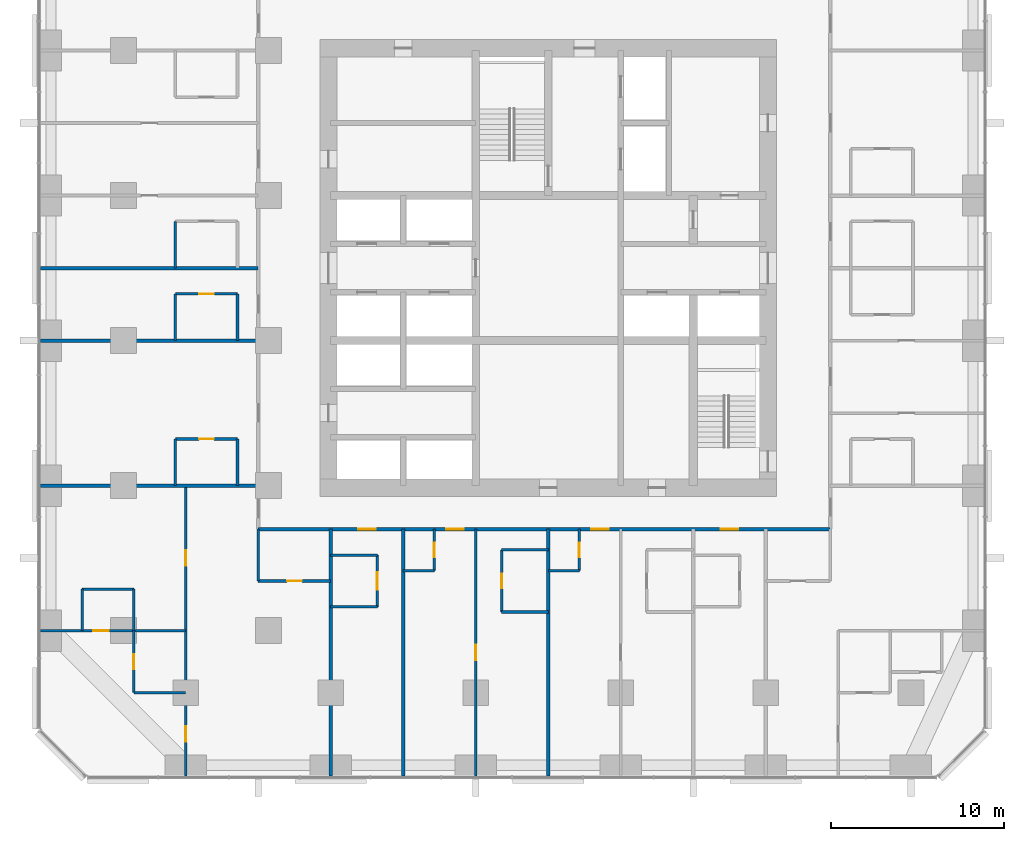
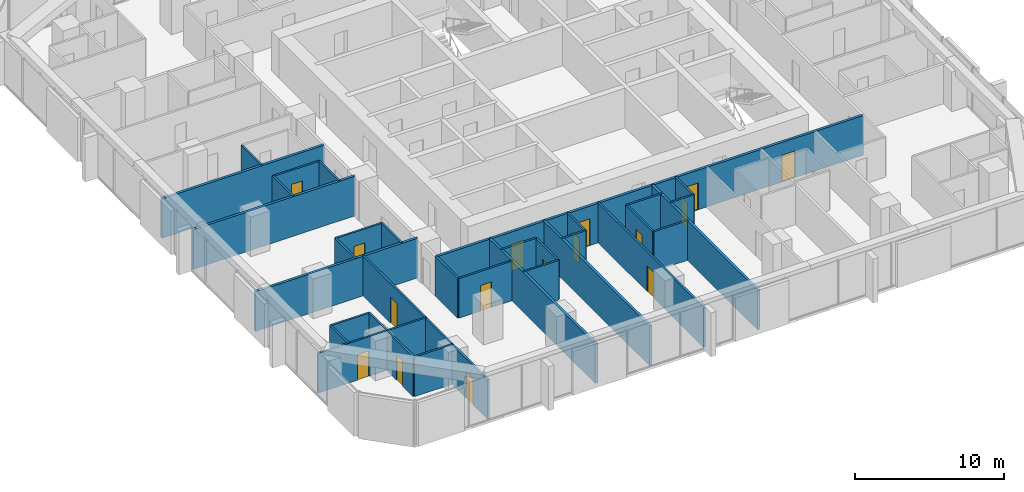
# One storey, part 8 of 14: 34 walls, 16 doors, 16 openings.
"""IFC4 building model written with IfcOpenShell, lengths in metres."""

from ifc_helpers import new_model, si_unit, direction, frame, frame_2d, origin, place, context, subcontext, project, spatial, rectangle, extrude, material, layer, layer_set, type_object, element, fill, save


model = new_model("IFC4")

# Units and contexts
model_context = context("Model", 3, precision=1e-05, world=origin(), true_north=direction((0.0, 1.0)))
body_context = subcontext(model_context, "Body", "Model", "MODEL_VIEW")
ifc_project = project(units=[si_unit("LENGTHUNIT", "METRE"), si_unit("AREAUNIT", "SQUARE_METRE"), si_unit("VOLUMEUNIT", "CUBIC_METRE"), si_unit("PLANEANGLEUNIT", "RADIAN"), si_unit("MASSUNIT", "GRAM", prefix="KILO")], contexts=[model_context])

# Site, building, storey
site_placement = place(None, origin())
site = spatial("IfcSite", under=ifc_project, at=site_placement, CompositionType="ELEMENT")
building_placement = place(site_placement, origin())
building = spatial("IfcBuilding", under=site, at=building_placement, Name="Dunama Terrace Hotel", CompositionType="ELEMENT")
storey_placement = place(building_placement, frame((0.0, 0.0, 133.199951171875)))
storey = spatial("IfcBuildingStorey", under=building, at=storey_placement, Name="L34", CompositionType="ELEMENT", Elevation=133.199951171875)

# Wall, opening, door
ifc_material_1 = material(Name="Gypsum board partition", Category="masonry")
ifc_layer_1 = layer(ifc_material_1, 0.14990234375)
ifc_layer_set_1 = layer_set([ifc_layer_1], Name="Bathroom partition 150")
wall_type_1 = type_object("IfcWallType", Name="Bathroom partition 150", PredefinedType="PARTITIONING", material=ifc_layer_set_1)
wall_1_placement = place(storey_placement, frame((5.39990234375, 4.800048828125, 0.0), z_axis=(0.0, 0.0, 1.0), x_axis=(0.0, 1.0, 0.0)))
wall_1 = element("IfcWall", 1, at=wall_1_placement, inside=storey, type_object=wall_type_1, Name="Bathroom partition 150 L34", PredefinedType="PARTITIONING", context=body_context, shape_type="SweptSolid", body=[
    extrude(rectangle(XDim=3.599853515625, YDim=0.14990234375, at=frame_2d((1.7998046875, 0.0))), origin(), (0.0, 0.0, 1.0), 3.25),
])
opening_1_placement = place(wall_1_placement, frame((1.375, 0.0, 0.0)))
opening_1 = element("IfcOpeningElement", 2, at=opening_1_placement, cuts=wall_1, Name="Opening L34-36-052", PredefinedType="OPENING", context=body_context, shape_type="SweptSolid", body=[
    extrude(rectangle(XDim=0.85009765625, YDim=2.10009765625, at=frame_2d((0.425048828125, 1.050048828125))), frame((0.0, 0.0849609375, 0.0), z_axis=(0.0, -1.0, 0.0), x_axis=(1.0, 0.0, 0.0)), (0.0, 0.0, 1.0), 0.169921875),
])
ifc_material_2 = material(Name="Timber door with steel frame", Category="steel")
door_type_1 = type_object("IfcDoorType", Name="Bathroom door 850", OperationType="SINGLE_SWING_LEFT", PredefinedType="DOOR", material=ifc_material_2)
door_1_placement = place(opening_1_placement, frame((0.85009765625, 0.0, 0.0), z_axis=(0.0, 0.0, 1.0), x_axis=(-1.0, 0.0, 0.0)))
door_1 = element("IfcDoor", 3, at=door_1_placement, inside=storey, type_object=door_type_1, Name="Door to en-suite bathroom L34-36-052, type D2", OperationType="SINGLE_SWING_LEFT", OverallHeight=2.10009765625, OverallWidth=0.85009765625, PredefinedType="DOOR", context=body_context, shape_type="SweptSolid", body=[
    extrude(rectangle(XDim=0.85009765625, YDim=2.10009765625, at=frame_2d((0.425048828125, 1.050048828125))), frame((0.0, 0.025146484375, 0.0), z_axis=(0.0, -1.0, 0.0), x_axis=(1.0, 0.0, 0.0)), (0.0, 0.0, 1.0), 0.050048828125),
])
fill(opening_1, door_1)

# Walls
for number, where, z_axis, x_axis, name in (
    (4, (7.800048828125, 16.800048828125, 0.0), (0.0, 0.0, 1.0), (0.0, 1.0, 0.0), "Bathroom partition 150 L34"),
    (5, (7.800048828125, 25.199951171875, 0.0), (0.0, 0.0, 1.0), (0.0, 1.0, 0.0), "Bathroom partition 150 L34"),
):
    element("IfcWall", number, at=place(storey_placement, frame(where, z_axis=z_axis, x_axis=x_axis)), inside=storey, type_object=wall_type_1, Name=name, PredefinedType="PARTITIONING", context=body_context, shape_type="SweptSolid", body=[
        extrude(rectangle(XDim=2.699951171875, YDim=0.14990234375, at=frame_2d((1.35009765625, 0.0))), origin(), (0.0, 0.0, 1.0), 3.25),
    ])
wall_2_placement = place(storey_placement, frame((7.800048828125, 29.39990234375, 0.0), z_axis=(0.0, 0.0, 1.0), x_axis=(0.0, 1.0, 0.0)))
element("IfcWall", 6, at=wall_2_placement, inside=storey, type_object=wall_type_1, Name="Bathroom partition 150 L34", PredefinedType="PARTITIONING", context=body_context, shape_type="SweptSolid", body=[
    extrude(rectangle(XDim=2.7001953125, YDim=0.14990234375, at=frame_2d((1.35009765625, 0.0))), origin(), (0.0, 0.0, 1.0), 3.25),
])
for number, where, z_axis, x_axis, name in (
    (7, (11.39990234375, 16.800048828125, 0.0), (0.0, 0.0, 1.0), (0.0, 1.0, 0.0), "Bathroom partition 150 L34"),
    (8, (11.39990234375, 25.199951171875, 0.0), (0.0, 0.0, 1.0), (0.0, 1.0, 0.0), "Bathroom partition 150 L34"),
):
    element("IfcWall", number, at=place(storey_placement, frame(where, z_axis=z_axis, x_axis=x_axis)), inside=storey, type_object=wall_type_1, Name=name, PredefinedType="PARTITIONING", context=body_context, shape_type="SweptSolid", body=[
        extrude(rectangle(XDim=2.699951171875, YDim=0.14990234375, at=frame_2d((1.35009765625, 0.0))), origin(), (0.0, 0.0, 1.0), 3.25),
    ])
wall_3_placement = place(storey_placement, frame((12.60009765625, 11.27490234375, 0.0), z_axis=(0.0, 0.0, 1.0), x_axis=(0.0, 1.0, 0.0)))
element("IfcWall", 9, at=wall_3_placement, inside=storey, type_object=wall_type_1, Name="Bathroom partition 150 L34", PredefinedType="PARTITIONING", context=body_context, shape_type="SweptSolid", body=[
    extrude(rectangle(XDim=3.0, YDim=0.14990234375, at=frame_2d((1.5, 0.0))), origin(), (0.0, 0.0, 1.0), 3.25),
])

# Wall, opening, door
wall_4_placement = place(storey_placement, frame((19.5, 9.77490234375, 0.0), z_axis=(0.0, 0.0, 1.0), x_axis=(0.0, 1.0, 0.0)))
wall_4 = element("IfcWall", 10, at=wall_4_placement, inside=storey, type_object=wall_type_1, Name="Bathroom partition 150 L34", PredefinedType="PARTITIONING", context=body_context, shape_type="SweptSolid", body=[
    extrude(rectangle(XDim=3.0, YDim=0.14990234375, at=frame_2d((1.5, 0.0))), origin(), (0.0, 0.0, 1.0), 3.25),
])
opening_2_placement = place(wall_4_placement, frame((1.0, 0.0, 0.0)))
opening_2 = element("IfcOpeningElement", 11, at=opening_2_placement, cuts=wall_4, Name="Opening L34-36-012", PredefinedType="OPENING", context=body_context, shape_type="SweptSolid", body=[
    extrude(rectangle(XDim=1.0, YDim=2.10009765625, at=frame_2d((0.5, 1.050048828125))), frame((0.0, 0.0849609375, 0.0), z_axis=(0.0, -1.0, 0.0), x_axis=(1.0, 0.0, 0.0)), (0.0, 0.0, 1.0), 0.169921875),
])
ifc_material_3 = material(Name="Timber door with steel frame", Category="steel")
door_type_2 = type_object("IfcDoorType", Name="Accessible room door 1000", OperationType="SINGLE_SWING_LEFT", PredefinedType="DOOR", material=ifc_material_3)
door_2_placement = place(opening_2_placement, origin())
door_2 = element("IfcDoor", 12, at=door_2_placement, inside=storey, type_object=door_type_2, Name="Door to accessible en-suite bathroom L34-36-012, type D17", OperationType="SINGLE_SWING_LEFT", OverallHeight=2.10009765625, OverallWidth=1.0, PredefinedType="DOOR", context=body_context, shape_type="SweptSolid", body=[
    extrude(rectangle(XDim=1.0, YDim=2.10009765625, at=frame_2d((0.5, 1.050048828125))), frame((0.0, 0.02490234375, 0.0), z_axis=(0.0, -1.0, 0.0), x_axis=(1.0, 0.0, 0.0)), (0.0, 0.0, 1.0), 0.050048828125),
])
fill(opening_2, door_2)

wall_5_placement = place(storey_placement, frame((22.800048828125, 11.875, 0.0), z_axis=(0.0, 0.0, 1.0), x_axis=(0.0, 1.0, 0.0)))
wall_5 = element("IfcWall", 13, at=wall_5_placement, inside=storey, type_object=wall_type_1, Name="Bathroom partition 150 L34", PredefinedType="PARTITIONING", context=body_context, shape_type="SweptSolid", body=[
    extrude(rectangle(XDim=2.39990234375, YDim=0.14990234375, at=frame_2d((1.199951171875, 0.0))), origin(), (0.0, 0.0, 1.0), 3.25),
])
opening_3_placement = place(wall_5_placement, frame((0.77490234375, 0.0, 0.0)))
opening_3 = element("IfcOpeningElement", 14, at=opening_3_placement, cuts=wall_5, Name="Opening L34-36-014", PredefinedType="OPENING", context=body_context, shape_type="SweptSolid", body=[
    extrude(rectangle(XDim=0.85009765625, YDim=2.10009765625, at=frame_2d((0.425048828125, 1.050048828125))), frame((0.0, 0.0849609375, 0.0), z_axis=(0.0, -1.0, 0.0), x_axis=(1.0, 0.0, 0.0)), (0.0, 0.0, 1.0), 0.169921875),
])
door_3_placement = place(opening_3_placement, origin())
door_3 = element("IfcDoor", 15, at=door_3_placement, inside=storey, type_object=door_type_1, Name="Door to powder room L34-36-014, type D2", OperationType="SINGLE_SWING_RIGHT", OverallHeight=2.10009765625, OverallWidth=0.85009765625, PredefinedType="DOOR", context=body_context, shape_type="SweptSolid", body=[
    extrude(rectangle(XDim=0.85009765625, YDim=2.10009765625, at=frame_2d((0.425048828125, 1.050048828125))), frame((0.0, 0.02490234375, 0.0), z_axis=(0.0, -1.0, 0.0), x_axis=(1.0, 0.0, 0.0)), (0.0, 0.0, 1.0), 0.050048828125),
])
fill(opening_3, door_3)

wall_6_placement = place(storey_placement, frame((26.699951171875, 9.47509765625, 0.0), z_axis=(0.0, 0.0, 1.0), x_axis=(0.0, 1.0, 0.0)))
wall_6 = element("IfcWall", 16, at=wall_6_placement, inside=storey, type_object=wall_type_1, Name="Bathroom partition 150 L34", PredefinedType="PARTITIONING", context=body_context, shape_type="SweptSolid", body=[
    extrude(rectangle(XDim=3.599853515625, YDim=0.14990234375, at=frame_2d((1.7998046875, 0.0))), origin(), (0.0, 0.0, 1.0), 3.25),
])
opening_4_placement = place(wall_6_placement, frame((1.375, 0.0, 0.0)))
opening_4 = element("IfcOpeningElement", 17, at=opening_4_placement, cuts=wall_6, Name="Opening L34-36-016", PredefinedType="OPENING", context=body_context, shape_type="SweptSolid", body=[
    extrude(rectangle(XDim=0.85009765625, YDim=2.10009765625, at=frame_2d((0.425048828125, 1.050048828125))), frame((0.0, 0.0849609375, 0.0), z_axis=(0.0, -1.0, 0.0), x_axis=(1.0, 0.0, 0.0)), (0.0, 0.0, 1.0), 0.169921875),
])
door_4_placement = place(opening_4_placement, frame((0.85009765625, 0.0, 0.0), z_axis=(0.0, 0.0, 1.0), x_axis=(-1.0, 0.0, 0.0)))
door_4 = element("IfcDoor", 18, at=door_4_placement, inside=storey, type_object=door_type_1, Name="Door to en-suite bathroom L34-36-016, type D2", OperationType="SINGLE_SWING_RIGHT", OverallHeight=2.10009765625, OverallWidth=0.85009765625, PredefinedType="DOOR", context=body_context, shape_type="SweptSolid", body=[
    extrude(rectangle(XDim=0.85009765625, YDim=2.10009765625, at=frame_2d((0.425048828125, 1.050048828125))), frame((0.0, 0.025146484375, 0.0), z_axis=(0.0, -1.0, 0.0), x_axis=(1.0, 0.0, 0.0)), (0.0, 0.0, 1.0), 0.050048828125),
])
fill(opening_4, door_4)

wall_7_placement = place(storey_placement, frame((31.199951171875, 11.875, 0.0), z_axis=(0.0, 0.0, 1.0), x_axis=(0.0, 1.0, 0.0)))
wall_7 = element("IfcWall", 19, at=wall_7_placement, inside=storey, type_object=wall_type_1, Name="Bathroom partition 150 L34", PredefinedType="PARTITIONING", context=body_context, shape_type="SweptSolid", body=[
    extrude(rectangle(XDim=2.39990234375, YDim=0.14990234375, at=frame_2d((1.199951171875, 0.0))), origin(), (0.0, 0.0, 1.0), 3.25),
])
opening_5_placement = place(wall_7_placement, frame((0.77490234375, 0.0, 0.0)))
opening_5 = element("IfcOpeningElement", 20, at=opening_5_placement, cuts=wall_7, Name="Opening L34-36-018", PredefinedType="OPENING", context=body_context, shape_type="SweptSolid", body=[
    extrude(rectangle(XDim=0.85009765625, YDim=2.10009765625, at=frame_2d((0.425048828125, 1.050048828125))), frame((0.0, 0.0849609375, 0.0), z_axis=(0.0, -1.0, 0.0), x_axis=(1.0, 0.0, 0.0)), (0.0, 0.0, 1.0), 0.169921875),
])
door_5_placement = place(opening_5_placement, origin())
door_5 = element("IfcDoor", 21, at=door_5_placement, inside=storey, type_object=door_type_1, Name="Door to powder room L34-36-018, type D2", OperationType="SINGLE_SWING_RIGHT", OverallHeight=2.10009765625, OverallWidth=0.85009765625, PredefinedType="DOOR", context=body_context, shape_type="SweptSolid", body=[
    extrude(rectangle(XDim=0.85009765625, YDim=2.10009765625, at=frame_2d((0.425048828125, 1.050048828125))), frame((0.0, 0.02490234375, 0.0), z_axis=(0.0, -1.0, 0.0), x_axis=(1.0, 0.0, 0.0)), (0.0, 0.0, 1.0), 0.050048828125),
])
fill(opening_5, door_5)

# Walls
wall_8_placement = place(storey_placement, frame((5.39990234375, 4.800048828125, 0.0), z_axis=(0.0, 0.0, 1.0), x_axis=(1.0, 0.0, 0.0)))
element("IfcWall", 22, at=wall_8_placement, inside=storey, type_object=wall_type_1, Name="Bathroom partition 150 L34", PredefinedType="PARTITIONING", context=body_context, shape_type="SweptSolid", body=[
    extrude(rectangle(XDim=3.0, YDim=0.14990234375, at=frame_2d((1.5, 0.0))), origin(), (0.0, 0.0, 1.0), 3.25),
])
for number, where, z_axis, x_axis, name in (
    (23, (26.699951171875, 9.47509765625, 0.0), (0.0, 0.0, 1.0), (1.0, 0.0, 0.0), "Bathroom partition 150 L34"),
    (24, (16.800048828125, 9.77490234375, 0.0), (0.0, 0.0, 1.0), (1.0, 0.0, 0.0), "Bathroom partition 150 L34"),
):
    element("IfcWall", number, at=place(storey_placement, frame(where, z_axis=z_axis, x_axis=x_axis)), inside=storey, type_object=wall_type_1, Name=name, PredefinedType="PARTITIONING", context=body_context, shape_type="SweptSolid", body=[
        extrude(rectangle(XDim=2.699951171875, YDim=0.14990234375, at=frame_2d((1.35009765625, 0.0))), origin(), (0.0, 0.0, 1.0), 3.25),
    ])

# Wall, opening, door
wall_9_placement = place(storey_placement, frame((12.60009765625, 11.27490234375, 0.0), z_axis=(0.0, 0.0, 1.0), x_axis=(1.0, 0.0, 0.0)))
wall_9 = element("IfcWall", 25, at=wall_9_placement, inside=storey, type_object=wall_type_1, Name="Bathroom partition 150 L34", PredefinedType="PARTITIONING", context=body_context, shape_type="SweptSolid", body=[
    extrude(rectangle(XDim=4.199951171875, YDim=0.14990234375, at=frame_2d((2.10009765625, 0.0))), origin(), (0.0, 0.0, 1.0), 3.25),
])
opening_6_placement = place(wall_9_placement, frame((1.675048828125, 0.0, 0.0)))
opening_6 = element("IfcOpeningElement", 26, at=opening_6_placement, cuts=wall_9, Name="Opening L34-36-050", PredefinedType="OPENING", context=body_context, shape_type="SweptSolid", body=[
    extrude(rectangle(XDim=0.85009765625, YDim=2.10009765625, at=frame_2d((0.425048828125, 1.050048828125))), frame((0.0, 0.0849609375, 0.0), z_axis=(0.0, -1.0, 0.0), x_axis=(1.0, 0.0, 0.0)), (0.0, 0.0, 1.0), 0.169921875),
])
door_6_placement = place(opening_6_placement, origin())
door_6 = element("IfcDoor", 27, at=door_6_placement, inside=storey, type_object=door_type_1, Name="Door to powder room L34-36-050, type D2", OperationType="SINGLE_SWING_RIGHT", OverallHeight=2.10009765625, OverallWidth=0.85009765625, PredefinedType="DOOR", context=body_context, shape_type="SweptSolid", body=[
    extrude(rectangle(XDim=0.85009765625, YDim=2.10009765625, at=frame_2d((0.425048828125, 1.050048828125))), frame((0.0, 0.02490234375, 0.0), z_axis=(0.0, -1.0, 0.0), x_axis=(1.0, 0.0, 0.0)), (0.0, 0.0, 1.0), 0.050048828125),
])
fill(opening_6, door_6)

# Walls
for number, where, z_axis, x_axis, name in (
    (28, (21.0, 11.875, 0.0), (0.0, 0.0, 1.0), (1.0, 0.0, 0.0), "Bathroom partition 150 L34"),
    (29, (29.39990234375, 11.875, 0.0), (0.0, 0.0, 1.0), (1.0, 0.0, 0.0), "Bathroom partition 150 L34"),
):
    element("IfcWall", number, at=place(storey_placement, frame(where, z_axis=z_axis, x_axis=x_axis)), inside=storey, type_object=wall_type_1, Name=name, PredefinedType="PARTITIONING", context=body_context, shape_type="SweptSolid", body=[
        extrude(rectangle(XDim=1.800048828125, YDim=0.14990234375, at=frame_2d((0.89990234375, 0.0))), origin(), (0.0, 0.0, 1.0), 3.25),
    ])
for number, where, z_axis, x_axis, name in (
    (30, (16.800048828125, 12.77490234375, 0.0), (0.0, 0.0, 1.0), (1.0, 0.0, 0.0), "Bathroom partition 150 L34"),
    (31, (26.699951171875, 13.074951171875, 0.0), (0.0, 0.0, 1.0), (1.0, 0.0, 0.0), "Bathroom partition 150 L34"),
):
    element("IfcWall", number, at=place(storey_placement, frame(where, z_axis=z_axis, x_axis=x_axis)), inside=storey, type_object=wall_type_1, Name=name, PredefinedType="PARTITIONING", context=body_context, shape_type="SweptSolid", body=[
        extrude(rectangle(XDim=2.699951171875, YDim=0.14990234375, at=frame_2d((1.35009765625, 0.0))), origin(), (0.0, 0.0, 1.0), 3.25),
    ])

# Wall, opening, door
wall_10_placement = place(storey_placement, frame((7.800048828125, 19.5, 0.0), z_axis=(0.0, 0.0, 1.0), x_axis=(1.0, 0.0, 0.0)))
wall_10 = element("IfcWall", 32, at=wall_10_placement, inside=storey, type_object=wall_type_1, Name="Bathroom partition 150 L34", PredefinedType="PARTITIONING", context=body_context, shape_type="SweptSolid", body=[
    extrude(rectangle(XDim=3.599853515625, YDim=0.14990234375, at=frame_2d((1.7998046875, 0.0))), origin(), (0.0, 0.0, 1.0), 3.25),
])
opening_7_placement = place(wall_10_placement, frame((1.375, 0.0, 0.0)))
opening_7 = element("IfcOpeningElement", 33, at=opening_7_placement, cuts=wall_10, Name="Opening L34-36-041", PredefinedType="OPENING", context=body_context, shape_type="SweptSolid", body=[
    extrude(rectangle(XDim=0.85009765625, YDim=2.10009765625, at=frame_2d((0.425048828125, 1.050048828125))), frame((0.0, 0.0849609375, 0.0), z_axis=(0.0, -1.0, 0.0), x_axis=(1.0, 0.0, 0.0)), (0.0, 0.0, 1.0), 0.169921875),
])
door_7_placement = place(opening_7_placement, frame((0.85009765625, 0.0, 0.0), z_axis=(0.0, 0.0, 1.0), x_axis=(-1.0, 0.0, 0.0)))
door_7 = element("IfcDoor", 34, at=door_7_placement, inside=storey, type_object=door_type_1, Name="Door to en-suite bathroom L34-36-041, type D2", OperationType="SINGLE_SWING_RIGHT", OverallHeight=2.10009765625, OverallWidth=0.85009765625, PredefinedType="DOOR", context=body_context, shape_type="SweptSolid", body=[
    extrude(rectangle(XDim=0.85009765625, YDim=2.10009765625, at=frame_2d((0.425048828125, 1.050048828125))), frame((0.0, 0.025146484375, 0.0), z_axis=(0.0, -1.0, 0.0), x_axis=(1.0, 0.0, 0.0)), (0.0, 0.0, 1.0), 0.050048828125),
])
fill(opening_7, door_7)

wall_11_placement = place(storey_placement, frame((7.800048828125, 27.89990234375, 0.0), z_axis=(0.0, 0.0, 1.0), x_axis=(1.0, 0.0, 0.0)))
wall_11 = element("IfcWall", 35, at=wall_11_placement, inside=storey, type_object=wall_type_1, Name="Bathroom partition 150 L34", PredefinedType="PARTITIONING", context=body_context, shape_type="SweptSolid", body=[
    extrude(rectangle(XDim=3.599853515625, YDim=0.14990234375, at=frame_2d((1.7998046875, 0.0))), origin(), (0.0, 0.0, 1.0), 3.25),
])
opening_8_placement = place(wall_11_placement, frame((1.375, 0.0, 0.0)))
opening_8 = element("IfcOpeningElement", 36, at=opening_8_placement, cuts=wall_11, Name="Opening L34-36-043", PredefinedType="OPENING", context=body_context, shape_type="SweptSolid", body=[
    extrude(rectangle(XDim=0.85009765625, YDim=2.10009765625, at=frame_2d((0.425048828125, 1.050048828125))), frame((0.0, 0.0849609375, 0.0), z_axis=(0.0, -1.0, 0.0), x_axis=(1.0, 0.0, 0.0)), (0.0, 0.0, 1.0), 0.169921875),
])
door_8_placement = place(opening_8_placement, frame((0.85009765625, 0.0, 0.0), z_axis=(0.0, 0.0, 1.0), x_axis=(-1.0, 0.0, 0.0)))
door_8 = element("IfcDoor", 37, at=door_8_placement, inside=storey, type_object=door_type_1, Name="Door to en-suite bathroom L34-36-043, type D2", OperationType="SINGLE_SWING_RIGHT", OverallHeight=2.10009765625, OverallWidth=0.85009765625, PredefinedType="DOOR", context=body_context, shape_type="SweptSolid", body=[
    extrude(rectangle(XDim=0.85009765625, YDim=2.10009765625, at=frame_2d((0.425048828125, 1.050048828125))), frame((0.0, 0.025146484375, 0.0), z_axis=(0.0, -1.0, 0.0), x_axis=(1.0, 0.0, 0.0)), (0.0, 0.0, 1.0), 0.050048828125),
])
fill(opening_8, door_8)

# Wall, openings, doors
ifc_material_4 = material(Name="Concrete blockwork", Category="masonry")
ifc_layer_2 = layer(ifc_material_4, 0.199951171875)
ifc_layer_set_2 = layer_set([ifc_layer_2], Name="Corridor partition 200")
wall_type_2 = type_object("IfcWallType", Name="Corridor partition 200", PredefinedType="PARTITIONING", material=ifc_layer_set_2)
wall_12_placement = place(storey_placement, frame((45.72509765625, 14.27490234375, 0.0), z_axis=(0.0, 0.0, 1.0), x_axis=(-1.0, 0.0, 0.0)))
wall_12 = element("IfcWall", 38, at=wall_12_placement, inside=storey, type_object=wall_type_2, Name="Corridor partition 200 L34", PredefinedType="PARTITIONING", context=body_context, shape_type="SweptSolid", body=[
    extrude(rectangle(XDim=33.125, YDim=0.199951171875, at=frame_2d((16.5625, 0.0))), origin(), (0.0, 0.0, 1.0), 3.25),
])
opening_9_placement = place(wall_12_placement, frame((26.324951171875, 0.0, 0.0)))
opening_9 = element("IfcOpeningElement", 39, at=opening_9_placement, cuts=wall_12, Name="Opening L34-36-011", PredefinedType="OPENING", context=body_context, shape_type="SweptSolid", body=[
    extrude(rectangle(XDim=1.0, YDim=2.199951171875, at=frame_2d((0.5, 1.10009765625))), frame((0.0, 0.10986328125, 0.0), z_axis=(0.0, -1.0, 0.0), x_axis=(1.0, 0.0, 0.0)), (0.0, 0.0, 1.0), 0.219970703125),
])
opening_10_placement = place(wall_12_placement, frame((21.22509765625, 0.0, 0.0)))
opening_10 = element("IfcOpeningElement", 40, at=opening_10_placement, cuts=wall_12, Name="Opening L34-36-013", PredefinedType="OPENING", context=body_context, shape_type="SweptSolid", body=[
    extrude(rectangle(XDim=1.0, YDim=2.199951171875, at=frame_2d((0.5, 1.10009765625))), frame((0.0, 0.10986328125, 0.0), z_axis=(0.0, -1.0, 0.0), x_axis=(1.0, 0.0, 0.0)), (0.0, 0.0, 1.0), 0.219970703125),
])
opening_11_placement = place(wall_12_placement, frame((12.824951171875, 0.0, 0.0)))
opening_11 = element("IfcOpeningElement", 41, at=opening_11_placement, cuts=wall_12, Name="Opening L34-36-017", PredefinedType="OPENING", context=body_context, shape_type="SweptSolid", body=[
    extrude(rectangle(XDim=1.0, YDim=2.199951171875, at=frame_2d((0.5, 1.10009765625))), frame((0.0, 0.10986328125, 0.0), z_axis=(0.0, -1.0, 0.0), x_axis=(1.0, 0.0, 0.0)), (0.0, 0.0, 1.0), 0.219970703125),
])
opening_12_placement = place(wall_12_placement, frame((5.324951171875, 0.0, 0.0)))
opening_12 = element("IfcOpeningElement", 42, at=opening_12_placement, cuts=wall_12, Name="Opening L34-36-021", PredefinedType="OPENING", context=body_context, shape_type="SweptSolid", body=[
    extrude(rectangle(XDim=1.0, YDim=2.199951171875, at=frame_2d((0.5, 1.10009765625))), frame((0.0, 0.10986328125, 0.0), z_axis=(0.0, -1.0, 0.0), x_axis=(1.0, 0.0, 0.0)), (0.0, 0.0, 1.0), 0.219970703125),
])
ifc_material_5 = material(Name="Timber door with steel frame", Category="steel")
door_type_3 = type_object("IfcDoorType", Name="Guest room door 1000", OperationType="SINGLE_SWING_LEFT", PredefinedType="DOOR", material=ifc_material_5)
door_9_placement = place(opening_9_placement, origin())
door_9 = element("IfcDoor", 43, at=door_9_placement, inside=storey, type_object=door_type_3, Name="Door to accessible premier room L34-36-011, type D1", OperationType="SINGLE_SWING_LEFT", OverallHeight=2.199951171875, OverallWidth=1.0, PredefinedType="DOOR", context=body_context, shape_type="SweptSolid", body=[
    extrude(rectangle(XDim=1.0, YDim=2.199951171875, at=frame_2d((0.5, 1.10009765625))), frame((0.0, 0.02490234375, 0.0), z_axis=(0.0, -1.0, 0.0), x_axis=(1.0, 0.0, 0.0)), (0.0, 0.0, 1.0), 0.050048828125),
])
fill(opening_9, door_9)
door_10_placement = place(opening_10_placement, origin())
door_10 = element("IfcDoor", 44, at=door_10_placement, inside=storey, type_object=door_type_3, Name="Door to premier suite living room L34-36-013, type D1", OperationType="SINGLE_SWING_LEFT", OverallHeight=2.199951171875, OverallWidth=1.0, PredefinedType="DOOR", context=body_context, shape_type="SweptSolid", body=[
    extrude(rectangle(XDim=1.0, YDim=2.199951171875, at=frame_2d((0.5, 1.10009765625))), frame((0.0, 0.02490234375, 0.0), z_axis=(0.0, -1.0, 0.0), x_axis=(1.0, 0.0, 0.0)), (0.0, 0.0, 1.0), 0.050048828125),
])
fill(opening_10, door_10)
door_11_placement = place(opening_11_placement, origin())
door_11 = element("IfcDoor", 45, at=door_11_placement, inside=storey, type_object=door_type_3, Name="Door to premier suite living room L34-36-017, type D1", OperationType="SINGLE_SWING_LEFT", OverallHeight=2.199951171875, OverallWidth=1.0, PredefinedType="DOOR", context=body_context, shape_type="SweptSolid", body=[
    extrude(rectangle(XDim=1.0, YDim=2.199951171875, at=frame_2d((0.5, 1.10009765625))), frame((0.0, 0.02490234375, 0.0), z_axis=(0.0, -1.0, 0.0), x_axis=(1.0, 0.0, 0.0)), (0.0, 0.0, 1.0), 0.050048828125),
])
fill(opening_11, door_11)
door_12_placement = place(opening_12_placement, origin())
door_12 = element("IfcDoor", 46, at=door_12_placement, inside=storey, type_object=door_type_3, Name="Door to accessible premier room L34-36-021, type D1", OperationType="SINGLE_SWING_LEFT", OverallHeight=2.199951171875, OverallWidth=1.0, PredefinedType="DOOR", context=body_context, shape_type="SweptSolid", body=[
    extrude(rectangle(XDim=1.0, YDim=2.199951171875, at=frame_2d((0.5, 1.10009765625))), frame((0.0, 0.02490234375, 0.0), z_axis=(0.0, -1.0, 0.0), x_axis=(1.0, 0.0, 0.0)), (0.0, 0.0, 1.0), 0.050048828125),
])
fill(opening_12, door_12)

# Walls
ifc_material_6 = material(Name="Concrete blockwork", Category="masonry")
ifc_layer_3 = layer(ifc_material_6, 0.199951171875)
ifc_layer_set_3 = layer_set([ifc_layer_3], Name="Party wall 200")
wall_type_3 = type_object("IfcWallType", Name="Party wall 200", PredefinedType="PARTITIONING", material=ifc_layer_set_3)
for number, where, z_axis, x_axis, name in (
    (47, (16.800048828125, -0.01806640625, 0.0), (0.0, 0.0, 1.0), (0.0, 1.0, 0.0), "Party wall 200 L34"),
    (48, (21.0, -0.01806640625, 0.0), (0.0, 0.0, 1.0), (0.0, 1.0, 0.0), "Party wall 200 L34"),
    (49, (29.39990234375, -0.01806640625, 0.0), (0.0, 0.0, 1.0), (0.0, 1.0, 0.0), "Party wall 200 L34"),
):
    element("IfcWall", number, at=place(storey_placement, frame(where, z_axis=z_axis, x_axis=x_axis)), inside=storey, type_object=wall_type_3, Name=name, PredefinedType="PARTITIONING", context=body_context, shape_type="SweptSolid", body=[
        extrude(rectangle(XDim=14.29296875, YDim=0.199951171875, at=frame_2d((7.146484375, 0.0))), origin(), (0.0, 0.0, 1.0), 3.25),
    ])
for number, where, z_axis, x_axis, name in (
    (50, (-0.01806640625, 16.800048828125, 0.0), (0.0, 0.0, 1.0), (1.0, 0.0, 0.0), "Party wall 200 L34"),
    (51, (-0.01806640625, 25.199951171875, 0.0), (0.0, 0.0, 1.0), (1.0, 0.0, 0.0), "Party wall 200 L34"),
    (52, (-0.01806640625, 29.39990234375, 0.0), (0.0, 0.0, 1.0), (1.0, 0.0, 0.0), "Party wall 200 L34"),
):
    element("IfcWall", number, at=place(storey_placement, frame(where, z_axis=z_axis, x_axis=x_axis)), inside=storey, type_object=wall_type_3, Name=name, PredefinedType="PARTITIONING", context=body_context, shape_type="SweptSolid", body=[
        extrude(rectangle(XDim=12.6181640625, YDim=0.199951171875, at=frame_2d((6.30908203125, 0.0))), origin(), (0.0, 0.0, 1.0), 3.25),
    ])
ifc_material_7 = material(Name="Gypsum board partition", Category="masonry")
ifc_layer_4 = layer(ifc_material_7, 0.14990234375)
ifc_layer_set_4 = layer_set([ifc_layer_4], Name="Room partition 150")
wall_type_4 = type_object("IfcWallType", Name="Room partition 150", PredefinedType="PARTITIONING", material=ifc_layer_set_4)
for number, where, z_axis, x_axis, name in (
    (53, (2.39990234375, 8.39990234375, 0.0), (0.0, 0.0, 1.0), (0.0, 1.0, 0.0), "Room partition 150 L34"),
    (54, (5.39990234375, 8.39990234375, 0.0), (0.0, 0.0, 1.0), (0.0, 1.0, 0.0), "Room partition 150 L34"),
):
    element("IfcWall", number, at=place(storey_placement, frame(where, z_axis=z_axis, x_axis=x_axis)), inside=storey, type_object=wall_type_4, Name=name, PredefinedType="PARTITIONING", context=body_context, shape_type="SweptSolid", body=[
        extrude(rectangle(XDim=2.400146484375, YDim=0.14990234375, at=frame_2d((1.2001953125, 0.0))), origin(), (0.0, 0.0, 1.0), 3.25),
    ])

# Wall, openings, doors
wall_13_placement = place(storey_placement, frame((8.39990234375, -0.01806640625, 0.0), z_axis=(0.0, 0.0, 1.0), x_axis=(0.0, 1.0, 0.0)))
wall_13 = element("IfcWall", 55, at=wall_13_placement, inside=storey, type_object=wall_type_4, Name="Room partition 150 L34", PredefinedType="PARTITIONING", context=body_context, shape_type="SweptSolid", body=[
    extrude(rectangle(XDim=16.818115234375, YDim=0.14990234375, at=frame_2d((8.4091796875, 0.0))), origin(), (0.0, 0.0, 1.0), 3.25),
])
opening_13_placement = place(wall_13_placement, frame((1.968017578125, 0.0, 0.0)))
opening_13 = element("IfcOpeningElement", 56, at=opening_13_placement, cuts=wall_13, Name="Opening L34-36-051", PredefinedType="OPENING", context=body_context, shape_type="SweptSolid", body=[
    extrude(rectangle(XDim=0.89990234375, YDim=2.10009765625, at=frame_2d((0.449951171875, 1.050048828125))), frame((0.0, 0.0849609375, 0.0), z_axis=(0.0, -1.0, 0.0), x_axis=(1.0, 0.0, 0.0)), (0.0, 0.0, 1.0), 0.169921875),
])
opening_14_placement = place(wall_13_placement, frame((12.16796875, 0.0, 0.0)))
opening_14 = element("IfcOpeningElement", 57, at=opening_14_placement, cuts=wall_13, Name="Opening L34-36-054", PredefinedType="OPENING", context=body_context, shape_type="SweptSolid", body=[
    extrude(rectangle(XDim=0.89990234375, YDim=2.10009765625, at=frame_2d((0.449951171875, 1.050048828125))), frame((0.0, 0.0849609375, 0.0), z_axis=(0.0, -1.0, 0.0), x_axis=(1.0, 0.0, 0.0)), (0.0, 0.0, 1.0), 0.169921875),
])
ifc_material_8 = material(Name="Timber door with steel frame", Category="steel")
door_type_4 = type_object("IfcDoorType", Name="Suite internal door 900", OperationType="SINGLE_SWING_LEFT", PredefinedType="DOOR", material=ifc_material_8)
door_13_placement = place(opening_13_placement, origin())
door_13 = element("IfcDoor", 58, at=door_13_placement, inside=storey, type_object=door_type_4, Name="Door to corner suite bedroom L34-36-051, type D16", OperationType="SINGLE_SWING_LEFT", OverallHeight=2.10009765625, OverallWidth=0.89990234375, PredefinedType="DOOR", context=body_context, shape_type="SweptSolid", body=[
    extrude(rectangle(XDim=0.89990234375, YDim=2.10009765625, at=frame_2d((0.449951171875, 1.050048828125))), frame((0.0, 0.02490234375, 0.0), z_axis=(0.0, -1.0, 0.0), x_axis=(1.0, 0.0, 0.0)), (0.0, 0.0, 1.0), 0.050048828125),
])
fill(opening_13, door_13)
door_14_placement = place(opening_14_placement, origin())
door_14 = element("IfcDoor", 59, at=door_14_placement, inside=storey, type_object=door_type_4, Name="Door to corner suite study L34-36-054, type D16", OperationType="SINGLE_SWING_LEFT", OverallHeight=2.10009765625, OverallWidth=0.89990234375, PredefinedType="DOOR", context=body_context, shape_type="SweptSolid", body=[
    extrude(rectangle(XDim=0.89990234375, YDim=2.10009765625, at=frame_2d((0.449951171875, 1.050048828125))), frame((0.0, 0.02490234375, 0.0), z_axis=(0.0, -1.0, 0.0), x_axis=(1.0, 0.0, 0.0)), (0.0, 0.0, 1.0), 0.050048828125),
])
fill(opening_14, door_14)

# Wall, opening, door
wall_14_placement = place(storey_placement, frame((25.199951171875, -0.01806640625, 0.0), z_axis=(0.0, 0.0, 1.0), x_axis=(0.0, 1.0, 0.0)))
wall_14 = element("IfcWall", 60, at=wall_14_placement, inside=storey, type_object=wall_type_4, Name="Room partition 150 L34", PredefinedType="PARTITIONING", context=body_context, shape_type="SweptSolid", body=[
    extrude(rectangle(XDim=14.29296875, YDim=0.14990234375, at=frame_2d((7.146484375, 0.0))), origin(), (0.0, 0.0, 1.0), 3.25),
])
opening_15_placement = place(wall_14_placement, frame((6.7060546875, 0.0, 0.0)))
opening_15 = element("IfcOpeningElement", 61, at=opening_15_placement, cuts=wall_14, Name="Opening L34-36-015", PredefinedType="OPENING", context=body_context, shape_type="SweptSolid", body=[
    extrude(rectangle(XDim=0.89990234375, YDim=2.10009765625, at=frame_2d((0.449951171875, 1.050048828125))), frame((0.0, 0.0849609375, 0.0), z_axis=(0.0, -1.0, 0.0), x_axis=(1.0, 0.0, 0.0)), (0.0, 0.0, 1.0), 0.169921875),
])
door_15_placement = place(opening_15_placement, frame((0.89990234375, 0.0, 0.0), z_axis=(0.0, 0.0, 1.0), x_axis=(-1.0, 0.0, 0.0)))
door_15 = element("IfcDoor", 62, at=door_15_placement, inside=storey, type_object=door_type_4, Name="Door to premier suite bedroom L34-36-015, type D16", OperationType="SINGLE_SWING_RIGHT", OverallHeight=2.10009765625, OverallWidth=0.89990234375, PredefinedType="DOOR", context=body_context, shape_type="SweptSolid", body=[
    extrude(rectangle(XDim=0.89990234375, YDim=2.10009765625, at=frame_2d((0.449951171875, 1.050048828125))), frame((0.0, 0.025146484375, 0.0), z_axis=(0.0, -1.0, 0.0), x_axis=(1.0, 0.0, 0.0)), (0.0, 0.0, 1.0), 0.050048828125),
])
fill(opening_15, door_15)

wall_15_placement = place(storey_placement, frame((-0.01806640625, 8.39990234375, 0.0), z_axis=(0.0, 0.0, 1.0), x_axis=(1.0, 0.0, 0.0)))
wall_15 = element("IfcWall", 63, at=wall_15_placement, inside=storey, type_object=wall_type_4, Name="Room partition 150 L34", PredefinedType="PARTITIONING", context=body_context, shape_type="SweptSolid", body=[
    extrude(rectangle(XDim=8.41796875, YDim=0.14990234375, at=frame_2d((4.208984375, 0.0))), origin(), (0.0, 0.0, 1.0), 3.25),
])
opening_16_placement = place(wall_15_placement, frame((3.068115234375, 0.0, 0.0)))
opening_16 = element("IfcOpeningElement", 64, at=opening_16_placement, cuts=wall_15, Name="Opening L34-36-053", PredefinedType="OPENING", context=body_context, shape_type="SweptSolid", body=[
    extrude(rectangle(XDim=0.89990234375, YDim=2.10009765625, at=frame_2d((0.449951171875, 1.050048828125))), frame((0.0, 0.0849609375, 0.0), z_axis=(0.0, -1.0, 0.0), x_axis=(1.0, 0.0, 0.0)), (0.0, 0.0, 1.0), 0.169921875),
])
door_16_placement = place(opening_16_placement, origin())
door_16 = element("IfcDoor", 65, at=door_16_placement, inside=storey, type_object=door_type_4, Name="Door to dressing room L34-36-053, type D16", OperationType="SINGLE_SWING_RIGHT", OverallHeight=2.10009765625, OverallWidth=0.89990234375, PredefinedType="DOOR", context=body_context, shape_type="SweptSolid", body=[
    extrude(rectangle(XDim=0.89990234375, YDim=2.10009765625, at=frame_2d((0.449951171875, 1.050048828125))), frame((0.0, 0.02490234375, 0.0), z_axis=(0.0, -1.0, 0.0), x_axis=(1.0, 0.0, 0.0)), (0.0, 0.0, 1.0), 0.050048828125),
])
fill(opening_16, door_16)

# Wall
wall_16_placement = place(storey_placement, frame((2.39990234375, 10.800048828125, 0.0), z_axis=(0.0, 0.0, 1.0), x_axis=(1.0, 0.0, 0.0)))
element("IfcWall", 66, at=wall_16_placement, inside=storey, type_object=wall_type_4, Name="Room partition 150 L34", PredefinedType="PARTITIONING", context=body_context, shape_type="SweptSolid", body=[
    extrude(rectangle(XDim=3.0, YDim=0.14990234375, at=frame_2d((1.5, 0.0))), origin(), (0.0, 0.0, 1.0), 3.25),
])

save(model, "model.ifc")
